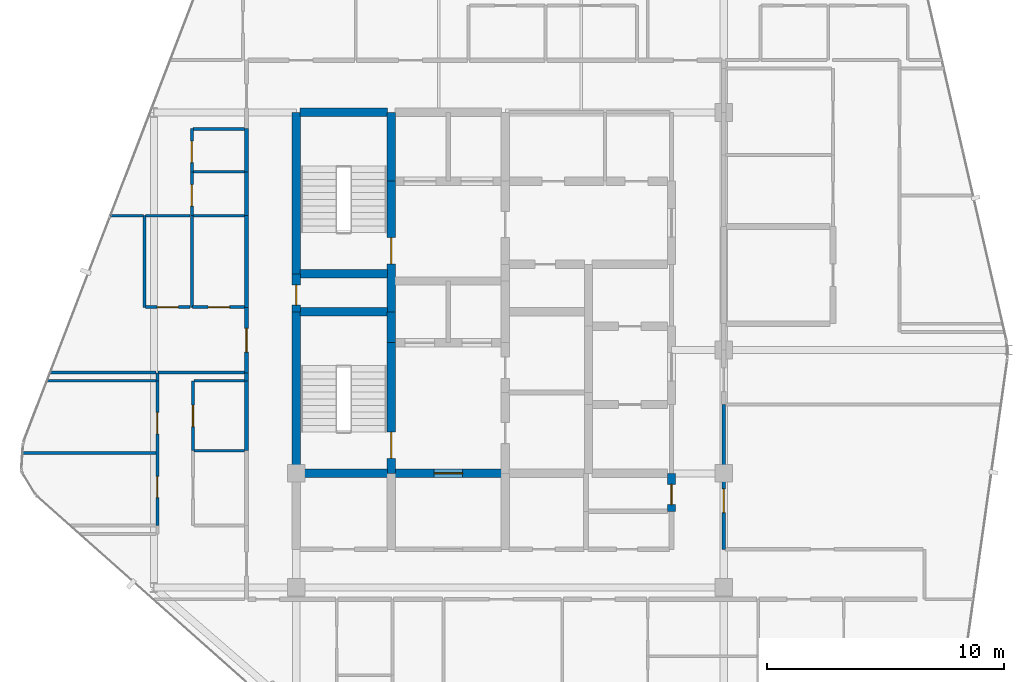
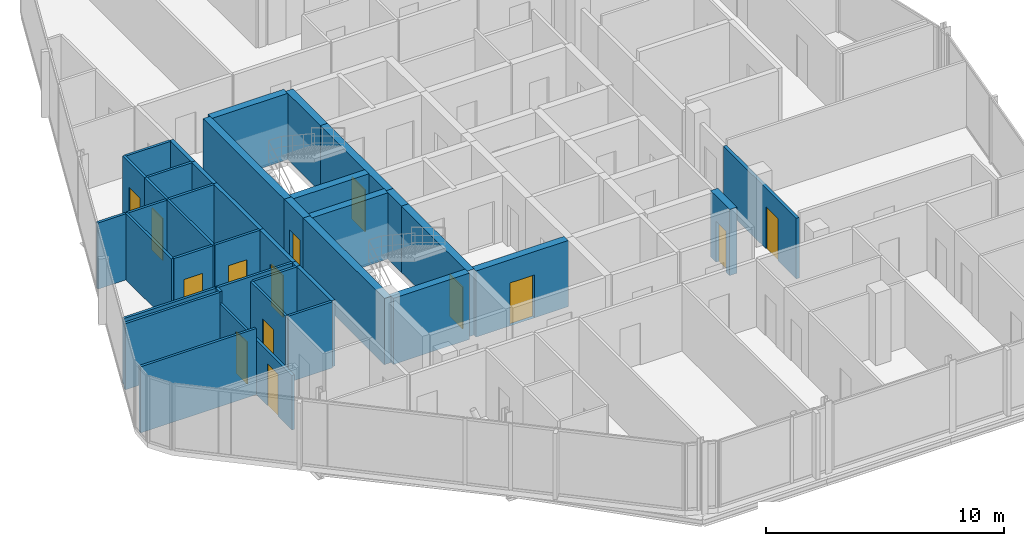
# One storey, part 23 of 28: 40 walls, 14 doors, 14 openings.
"""IFC4 building model written with IfcOpenShell, lengths in metres."""

from ifc_helpers import new_model, si_unit, direction, frame, frame_2d, origin, place, context, subcontext, project, spatial, rectangle, extrude, material, layer, layer_set, type_object, element, fill, save


model = new_model("IFC4")

# Units and contexts
model_context = context("Model", 3, precision=1e-05, world=origin(), true_north=direction((0.0, 1.0)))
body_context = subcontext(model_context, "Body", "Model", "MODEL_VIEW")
ifc_project = project(units=[si_unit("LENGTHUNIT", "METRE"), si_unit("AREAUNIT", "SQUARE_METRE"), si_unit("VOLUMEUNIT", "CUBIC_METRE"), si_unit("PLANEANGLEUNIT", "RADIAN"), si_unit("MASSUNIT", "GRAM", prefix="KILO")], contexts=[model_context])

# Site, building, storey
site_placement = place(None, origin())
site = spatial("IfcSite", under=ifc_project, at=site_placement, CompositionType="ELEMENT")
building_placement = place(site_placement, origin())
building = spatial("IfcBuilding", under=site, at=building_placement, Name="Keshet Zoharim Tower", CompositionType="ELEMENT")
storey_placement = place(building_placement, frame((0.0, 0.0, 265.800048828125)))
storey = spatial("IfcBuildingStorey", under=building, at=storey_placement, Name="L66", CompositionType="ELEMENT", Elevation=265.800048828125)

# Wall, opening, door
ifc_material_1 = material(Name="Gypsum Plasterboard", Category="gypsum")
ifc_layer_1 = layer(ifc_material_1, 0.14990234375)
ifc_layer_set_1 = layer_set([ifc_layer_1], Name="Gypsum Plasterboard")
wall_type_1 = type_object("IfcWallType", Name="WL-CLIN-150", PredefinedType="STANDARD", material=ifc_layer_set_1)
wall_1_placement = place(storey_placement, frame((33.0, 19.5, 0.0), z_axis=(0.0, 0.0, 1.0), x_axis=(0.0, 1.0, 0.0)))
wall_1 = element("IfcWall", 1, at=wall_1_placement, inside=storey, type_object=wall_type_1, Name="L66 Interior Wall 072", PredefinedType="STANDARD", context=body_context, shape_type="SweptSolid", body=[
    extrude(rectangle(XDim=6.10009765625, YDim=0.14990234375, at=frame_2d((3.050048828125, 0.0))), origin(), (0.0, 0.0, 1.0), 3.099853515625),
])
opening_1_placement = place(wall_1_placement, frame((1.544921875, 0.0, 0.0)))
opening_1 = element("IfcOpeningElement", 2, at=opening_1_placement, cuts=wall_1, Name="Opening D-F310", PredefinedType="OPENING", context=body_context, shape_type="SweptSolid", body=[
    extrude(rectangle(XDim=1.0, YDim=2.14990234375, at=frame_2d((0.5, 1.074951171875))), frame((0.0, 0.0849609375, 0.0), z_axis=(0.0, -1.0, 0.0), x_axis=(1.0, 0.0, 0.0)), (0.0, 0.0, 1.0), 0.169921875),
])
ifc_material_2 = material(Name="Hardwood Timber", Category="wood")
door_type_1 = type_object("IfcDoorType", Name="DR-FD30-100", OperationType="NOTDEFINED", PredefinedType="DOOR", material=ifc_material_2)
door_1_placement = place(opening_1_placement, origin())
door_1 = element("IfcDoor", 3, at=door_1_placement, inside=storey, type_object=door_type_1, Name="L66 South West Residents Services Suite Door 2", OperationType="SINGLE_SWING_RIGHT", OverallHeight=2.14990234375, OverallWidth=1.0, PredefinedType="DOOR", context=body_context, shape_type="SweptSolid", body=[
    extrude(rectangle(XDim=1.0, YDim=2.14990234375, at=frame_2d((0.5, 1.074951171875))), frame((0.0, 0.02490234375, 0.0), z_axis=(0.0, -1.0, 0.0), x_axis=(1.0, 0.0, 0.0)), (0.0, 0.0, 1.0), 0.050048828125),
])
fill(opening_1, door_1)

# Wall
ifc_material_3 = material(Name="Concrete C60/75", Category="concrete")
ifc_layer_2 = layer(ifc_material_3, 0.35009765625)
ifc_layer_set_2 = layer_set([ifc_layer_2], Name="Concrete C60/75")
wall_type_2 = type_object("IfcWallType", Name="WL-CORE-350", PredefinedType="SHEAR", material=ifc_layer_set_2)
wall_2_placement = place(storey_placement, frame((15.0, 22.699951171875, 0.0), z_axis=(0.0, 0.0, 1.0), x_axis=(0.0, 1.0, 0.0)))
element("IfcWall", 4, at=wall_2_placement, inside=storey, type_object=wall_type_2, Name="L66 Core Shear Wall 022", PredefinedType="SHEAR", context=body_context, shape_type="SweptSolid", body=[
    extrude(rectangle(XDim=6.800048828125, YDim=0.35009765625, at=frame_2d((3.39990234375, 0.0))), origin(), (0.0, 0.0, 1.0), 3.389892578125),
])

# Wall, opening, door
wall_3_placement = place(storey_placement, frame((15.0, 29.5, 0.0), z_axis=(0.0, 0.0, 1.0), x_axis=(0.0, 1.0, 0.0)))
wall_3 = element("IfcWall", 5, at=wall_3_placement, inside=storey, type_object=wall_type_2, Name="L66 Core Shear Wall 023", PredefinedType="SHEAR", context=body_context, shape_type="SweptSolid", body=[
    extrude(rectangle(XDim=1.60009765625, YDim=0.35009765625, at=frame_2d((0.800048828125, 0.0))), origin(), (0.0, 0.0, 1.0), 3.389892578125),
])
opening_2_placement = place(wall_3_placement, frame((0.287109375, 0.0, 0.0)))
opening_2 = element("IfcOpeningElement", 6, at=opening_2_placement, cuts=wall_3, Name="Opening D-RS85", PredefinedType="OPENING", context=body_context, shape_type="SweptSolid", body=[
    extrude(rectangle(XDim=0.85009765625, YDim=2.10009765625, at=frame_2d((0.425048828125, 1.050048828125))), frame((0.0, 0.18505859375, 0.0), z_axis=(0.0, -1.0, 0.0), x_axis=(1.0, 0.0, 0.0)), (0.0, 0.0, 1.0), 0.3701171875),
])
door_type_2 = type_object("IfcDoorType", Name="DR-RIS-085", OperationType="NOTDEFINED", PredefinedType="DOOR", material=ifc_material_2)
door_2_placement = place(opening_2_placement, origin())
door_2 = element("IfcDoor", 7, at=door_2_placement, inside=storey, type_object=door_type_2, Name="L66 Electrical Riser Access Cupboard Door", OperationType="SINGLE_SWING_RIGHT", OverallHeight=2.10009765625, OverallWidth=0.85009765625, PredefinedType="DOOR", context=body_context, shape_type="SweptSolid", body=[
    extrude(rectangle(XDim=0.85009765625, YDim=2.10009765625, at=frame_2d((0.425048828125, 1.050048828125))), frame((0.0, 0.02490234375, 0.0), z_axis=(0.0, -1.0, 0.0), x_axis=(1.0, 0.0, 0.0)), (0.0, 0.0, 1.0), 0.050048828125),
])
fill(opening_2, door_2)

# Wall
wall_4_placement = place(storey_placement, frame((15.0, 31.10009765625, 0.0), z_axis=(0.0, 0.0, 1.0), x_axis=(0.0, 1.0, 0.0)))
element("IfcWall", 8, at=wall_4_placement, inside=storey, type_object=wall_type_2, Name="L66 Core Shear Wall 024", PredefinedType="SHEAR", context=body_context, shape_type="SweptSolid", body=[
    extrude(rectangle(XDim=6.7998046875, YDim=0.35009765625, at=frame_2d((3.39990234375, 0.0))), origin(), (0.0, 0.0, 1.0), 3.389892578125),
])

# Wall, opening, door
wall_5_placement = place(storey_placement, frame((19.0, 22.699951171875, 0.0), z_axis=(0.0, 0.0, 1.0), x_axis=(0.0, 1.0, 0.0)))
wall_5 = element("IfcWall", 9, at=wall_5_placement, inside=storey, type_object=wall_type_2, Name="L66 Core Shear Wall 029", PredefinedType="SHEAR", context=body_context, shape_type="SweptSolid", body=[
    extrude(rectangle(XDim=5.5, YDim=0.35009765625, at=frame_2d((2.75, 0.0))), origin(), (0.0, 0.0, 1.0), 3.389892578125),
])
opening_3_placement = place(wall_5_placement, frame((0.631103515625, 0.0, 0.0)))
opening_3 = element("IfcOpeningElement", 10, at=opening_3_placement, cuts=wall_5, Name="Opening D-F611", PredefinedType="OPENING", context=body_context, shape_type="SweptSolid", body=[
    extrude(rectangle(XDim=1.10009765625, YDim=2.14990234375, at=frame_2d((0.550048828125, 1.074951171875))), frame((0.0, 0.18505859375, 0.0), z_axis=(0.0, -1.0, 0.0), x_axis=(1.0, 0.0, 0.0)), (0.0, 0.0, 1.0), 0.3701171875),
])
door_type_3 = type_object("IfcDoorType", Name="DR-FD60-110", OperationType="NOTDEFINED", PredefinedType="DOOR", material=ifc_material_2)
door_3_placement = place(opening_3_placement, origin())
door_3 = element("IfcDoor", 11, at=door_3_placement, inside=storey, type_object=door_type_3, Name="L66 Exit Stair ST-01 Fire Door", OperationType="SINGLE_SWING_RIGHT", OverallHeight=2.14990234375, OverallWidth=1.10009765625, PredefinedType="DOOR", context=body_context, shape_type="SweptSolid", body=[
    extrude(rectangle(XDim=1.10009765625, YDim=2.14990234375, at=frame_2d((0.550048828125, 1.074951171875))), frame((0.0, 0.02490234375, 0.0), z_axis=(0.0, -1.0, 0.0), x_axis=(1.0, 0.0, 0.0)), (0.0, 0.0, 1.0), 0.050048828125),
])
fill(opening_3, door_3)

# Wall
wall_6_placement = place(storey_placement, frame((19.0, 28.199951171875, 0.0), z_axis=(0.0, 0.0, 1.0), x_axis=(0.0, 1.0, 0.0)))
element("IfcWall", 12, at=wall_6_placement, inside=storey, type_object=wall_type_2, Name="L66 Core Shear Wall 030", PredefinedType="SHEAR", context=body_context, shape_type="SweptSolid", body=[
    extrude(rectangle(XDim=1.300048828125, YDim=0.35009765625, at=frame_2d((0.64990234375, 0.0))), origin(), (0.0, 0.0, 1.0), 3.389892578125),
])

# Wall, opening, door
wall_7_placement = place(storey_placement, frame((19.0, 29.5, 0.0), z_axis=(0.0, 0.0, 1.0), x_axis=(0.0, 1.0, 0.0)))
wall_7 = element("IfcWall", 13, at=wall_7_placement, inside=storey, type_object=wall_type_2, Name="L66 Core Shear Wall 031", PredefinedType="SHEAR", context=body_context, shape_type="SweptSolid", body=[
    extrude(rectangle(XDim=5.5, YDim=0.35009765625, at=frame_2d((2.75, 0.0))), origin(), (0.0, 0.0, 1.0), 3.389892578125),
])
opening_4_placement = place(wall_7_placement, frame((2.02490234375, 0.0, 0.0)))
opening_4 = element("IfcOpeningElement", 14, at=opening_4_placement, cuts=wall_7, Name="Opening D-F611", PredefinedType="OPENING", context=body_context, shape_type="SweptSolid", body=[
    extrude(rectangle(XDim=1.10009765625, YDim=2.14990234375, at=frame_2d((0.550048828125, 1.074951171875))), frame((0.0, 0.18505859375, 0.0), z_axis=(0.0, -1.0, 0.0), x_axis=(1.0, 0.0, 0.0)), (0.0, 0.0, 1.0), 0.3701171875),
])
door_4_placement = place(opening_4_placement, origin())
door_4 = element("IfcDoor", 15, at=door_4_placement, inside=storey, type_object=door_type_3, Name="L66 Exit Stair ST-02 Fire Door", OperationType="SINGLE_SWING_LEFT", OverallHeight=2.14990234375, OverallWidth=1.10009765625, PredefinedType="DOOR", context=body_context, shape_type="SweptSolid", body=[
    extrude(rectangle(XDim=1.10009765625, YDim=2.14990234375, at=frame_2d((0.550048828125, 1.074951171875))), frame((0.0, 0.02490234375, 0.0), z_axis=(0.0, -1.0, 0.0), x_axis=(1.0, 0.0, 0.0)), (0.0, 0.0, 1.0), 0.050048828125),
])
fill(opening_4, door_4)

# Wall
wall_8_placement = place(storey_placement, frame((19.0, 35.0, 0.0), z_axis=(0.0, 0.0, 1.0), x_axis=(0.0, 1.0, 0.0)))
element("IfcWall", 16, at=wall_8_placement, inside=storey, type_object=wall_type_2, Name="L66 Core Shear Wall 032", PredefinedType="SHEAR", context=body_context, shape_type="SweptSolid", body=[
    extrude(rectangle(XDim=2.89990234375, YDim=0.35009765625, at=frame_2d((1.449951171875, 0.0))), origin(), (0.0, 0.0, 1.0), 3.389892578125),
])

# Wall, opening, door
wall_9_placement = place(storey_placement, frame((30.800048828125, 21.10009765625, 0.0), z_axis=(0.0, 0.0, 1.0), x_axis=(0.0, 1.0, 0.0)))
wall_9 = element("IfcWall", 17, at=wall_9_placement, inside=storey, type_object=wall_type_2, Name="L66 Core Shear Wall 066", PredefinedType="SHEAR", context=body_context, shape_type="SweptSolid", body=[
    extrude(rectangle(XDim=1.599853515625, YDim=0.35009765625, at=frame_2d((0.7998046875, 0.0))), origin(), (0.0, 0.0, 1.0), 3.389892578125),
])
opening_5_placement = place(wall_9_placement, frame((0.287109375, 0.0, 0.0)))
opening_5 = element("IfcOpeningElement", 18, at=opening_5_placement, cuts=wall_9, Name="Opening D-RS85", PredefinedType="OPENING", context=body_context, shape_type="SweptSolid", body=[
    extrude(rectangle(XDim=0.85009765625, YDim=2.10009765625, at=frame_2d((0.425048828125, 1.050048828125))), frame((0.0, 0.18505859375, 0.0), z_axis=(0.0, -1.0, 0.0), x_axis=(1.0, 0.0, 0.0)), (0.0, 0.0, 1.0), 0.3701171875),
])
door_5_placement = place(opening_5_placement, origin())
door_5 = element("IfcDoor", 19, at=door_5_placement, inside=storey, type_object=door_type_2, Name="L66 Linen Store Door", OperationType="SINGLE_SWING_LEFT", OverallHeight=2.10009765625, OverallWidth=0.85009765625, PredefinedType="DOOR", context=body_context, shape_type="SweptSolid", body=[
    extrude(rectangle(XDim=0.85009765625, YDim=2.10009765625, at=frame_2d((0.425048828125, 1.050048828125))), frame((0.0, 0.02490234375, 0.0), z_axis=(0.0, -1.0, 0.0), x_axis=(1.0, 0.0, 0.0)), (0.0, 0.0, 1.0), 0.050048828125),
])
fill(opening_5, door_5)

# Wall
wall_10_placement = place(storey_placement, frame((15.159912109375, 22.699951171875, 0.0), z_axis=(0.0, 0.0, 1.0), x_axis=(1.0, 0.0, 0.0)))
element("IfcWall", 20, at=wall_10_placement, inside=storey, type_object=wall_type_2, Name="L66 Core Shear Wall 122", PredefinedType="SHEAR", context=body_context, shape_type="SweptSolid", body=[
    extrude(rectangle(XDim=3.68017578125, YDim=0.35009765625, at=frame_2d((1.840087890625, 0.0))), origin(), (0.0, 0.0, 1.0), 3.389892578125),
])

# Wall, opening, door
wall_11_placement = place(storey_placement, frame((19.159912109375, 22.699951171875, 0.0), z_axis=(0.0, 0.0, 1.0), x_axis=(1.0, 0.0, 0.0)))
wall_11 = element("IfcWall", 21, at=wall_11_placement, inside=storey, type_object=wall_type_2, Name="L66 Core Shear Wall 123", PredefinedType="SHEAR", context=body_context, shape_type="SweptSolid", body=[
    extrude(rectangle(XDim=4.47998046875, YDim=0.35009765625, at=frame_2d((2.239990234375, 0.0))), origin(), (0.0, 0.0, 1.0), 3.389892578125),
])
opening_6_placement = place(wall_11_placement, frame((1.639892578125, 0.0, 0.0)))
opening_6 = element("IfcOpeningElement", 22, at=opening_6_placement, cuts=wall_11, Name="Opening D-F612", PredefinedType="OPENING", context=body_context, shape_type="SweptSolid", body=[
    extrude(rectangle(XDim=1.199951171875, YDim=2.199951171875, at=frame_2d((0.60009765625, 1.10009765625))), frame((0.0, 0.18505859375, 0.0), z_axis=(0.0, -1.0, 0.0), x_axis=(1.0, 0.0, 0.0)), (0.0, 0.0, 1.0), 0.3701171875),
])
door_type_4 = type_object("IfcDoorType", Name="DR-FD60-120", OperationType="NOTDEFINED", PredefinedType="DOOR", material=ifc_material_2)
door_6_placement = place(opening_6_placement, origin())
door_6 = element("IfcDoor", 23, at=door_6_placement, inside=storey, type_object=door_type_4, Name="L66 South Core Lobby Fire Door", OperationType="SINGLE_SWING_LEFT", OverallHeight=2.199951171875, OverallWidth=1.199951171875, PredefinedType="DOOR", context=body_context, shape_type="SweptSolid", body=[
    extrude(rectangle(XDim=1.199951171875, YDim=2.199951171875, at=frame_2d((0.60009765625, 1.10009765625))), frame((0.0, 0.02490234375, 0.0), z_axis=(0.0, -1.0, 0.0), x_axis=(1.0, 0.0, 0.0)), (0.0, 0.0, 1.0), 0.050048828125),
])
fill(opening_6, door_6)

# Walls
for number, where, z_axis, x_axis, name in (
    (24, (15.159912109375, 29.5, 0.0), (0.0, 0.0, 1.0), (1.0, 0.0, 0.0), "L66 Core Shear Wall 140"),
    (25, (15.159912109375, 31.10009765625, 0.0), (0.0, 0.0, 1.0), (1.0, 0.0, 0.0), "L66 Core Shear Wall 145"),
    (26, (15.159912109375, 37.89990234375, 0.0), (0.0, 0.0, 1.0), (1.0, 0.0, 0.0), "L66 Core Shear Wall 159"),
):
    element("IfcWall", number, at=place(storey_placement, frame(where, z_axis=z_axis, x_axis=x_axis)), inside=storey, type_object=wall_type_2, Name=name, PredefinedType="SHEAR", context=body_context, shape_type="SweptSolid", body=[
        extrude(rectangle(XDim=3.68017578125, YDim=0.35009765625, at=frame_2d((1.840087890625, 0.0))), origin(), (0.0, 0.0, 1.0), 3.389892578125),
    ])
ifc_layer_3 = layer(ifc_material_1, 0.179931640625)
ifc_layer_set_3 = layer_set([ifc_layer_3], Name="Gypsum Plasterboard")
wall_type_3 = type_object("IfcWallType", Name="WL-CORR-180", PredefinedType="STANDARD", material=ifc_layer_set_3)
wall_12_placement = place(storey_placement, frame((12.89990234375, 23.662109375, 0.0), z_axis=(0.0, 0.0, 1.0), x_axis=(0.0, 1.0, 0.0)))
element("IfcWall", 27, at=wall_12_placement, inside=storey, type_object=wall_type_3, Name="L66 Interior Wall 014", PredefinedType="STANDARD", context=body_context, shape_type="SweptSolid", body=[
    extrude(rectangle(XDim=2.91796875, YDim=0.179931640625, at=frame_2d((1.458984375, 0.0))), origin(), (0.0, 0.0, 1.0), 3.389892578125),
])
wall_13_placement = place(storey_placement, frame((12.89990234375, 26.580078125, 0.0), z_axis=(0.0, 0.0, 1.0), x_axis=(0.0, 1.0, 0.0)))
element("IfcWall", 28, at=wall_13_placement, inside=storey, type_object=wall_type_3, Name="L66 Interior Wall 015", PredefinedType="STANDARD", context=body_context, shape_type="SweptSolid", body=[
    extrude(rectangle(XDim=0.349853515625, YDim=0.179931640625, at=frame_2d((0.1748046875, 0.0))), origin(), (0.0, 0.0, 1.0), 3.389892578125),
])

# Wall, opening, door
wall_14_placement = place(storey_placement, frame((12.89990234375, 26.929931640625, 0.0), z_axis=(0.0, 0.0, 1.0), x_axis=(0.0, 1.0, 0.0)))
wall_14 = element("IfcWall", 29, at=wall_14_placement, inside=storey, type_object=wall_type_3, Name="L66 Interior Wall 016", PredefinedType="STANDARD", context=body_context, shape_type="SweptSolid", body=[
    extrude(rectangle(XDim=2.75, YDim=0.179931640625, at=frame_2d((1.375, 0.0))), origin(), (0.0, 0.0, 1.0), 3.389892578125),
])
opening_7_placement = place(wall_14_placement, frame((0.875, 0.0, 0.0)))
opening_7 = element("IfcOpeningElement", 30, at=opening_7_placement, cuts=wall_14, Name="Opening D-F310", PredefinedType="OPENING", context=body_context, shape_type="SweptSolid", body=[
    extrude(rectangle(XDim=1.0, YDim=2.14990234375, at=frame_2d((0.5, 1.074951171875))), frame((0.0, 0.10009765625, 0.0), z_axis=(0.0, -1.0, 0.0), x_axis=(1.0, 0.0, 0.0)), (0.0, 0.0, 1.0), 0.199951171875),
])
door_7_placement = place(opening_7_placement, origin())
door_7 = element("IfcDoor", 31, at=door_7_placement, inside=storey, type_object=door_type_1, Name="Apartment 6608 Entrance Door", OperationType="SINGLE_SWING_RIGHT", OverallHeight=2.14990234375, OverallWidth=1.0, PredefinedType="DOOR", context=body_context, shape_type="SweptSolid", body=[
    extrude(rectangle(XDim=1.0, YDim=2.14990234375, at=frame_2d((0.5, 1.074951171875))), frame((0.0, 0.02490234375, 0.0), z_axis=(0.0, -1.0, 0.0), x_axis=(1.0, 0.0, 0.0)), (0.0, 0.0, 1.0), 0.050048828125),
])
fill(opening_7, door_7)

# Walls
wall_15_placement = place(storey_placement, frame((12.89990234375, 29.679931640625, 0.0), z_axis=(0.0, 0.0, 1.0), x_axis=(0.0, 1.0, 0.0)))
element("IfcWall", 32, at=wall_15_placement, inside=storey, type_object=wall_type_3, Name="L66 Interior Wall 017", PredefinedType="STANDARD", context=body_context, shape_type="SweptSolid", body=[
    extrude(rectangle(XDim=3.880126953125, YDim=0.179931640625, at=frame_2d((1.93994140625, 0.0))), origin(), (0.0, 0.0, 1.0), 3.389892578125),
])
wall_16_placement = place(storey_placement, frame((12.89990234375, 33.56005859375, 0.0), z_axis=(0.0, 0.0, 1.0), x_axis=(0.0, 1.0, 0.0)))
element("IfcWall", 33, at=wall_16_placement, inside=storey, type_object=wall_type_3, Name="L66 Interior Wall 018", PredefinedType="STANDARD", context=body_context, shape_type="SweptSolid", body=[
    extrude(rectangle(XDim=1.8310546875, YDim=0.179931640625, at=frame_2d((0.91552734375, 0.0))), origin(), (0.0, 0.0, 1.0), 3.389892578125),
])
wall_17_placement = place(storey_placement, frame((12.89990234375, 35.39111328125, 0.0), z_axis=(0.0, 0.0, 1.0), x_axis=(0.0, 1.0, 0.0)))
element("IfcWall", 34, at=wall_17_placement, inside=storey, type_object=wall_type_3, Name="L66 Interior Wall 019", PredefinedType="STANDARD", context=body_context, shape_type="SweptSolid", body=[
    extrude(rectangle(XDim=1.830810546875, YDim=0.179931640625, at=frame_2d((0.91552734375, 0.0))), origin(), (0.0, 0.0, 1.0), 3.389892578125),
])
ifc_layer_4 = layer(ifc_material_1, 0.1201171875)
ifc_layer_set_4 = layer_set([ifc_layer_4], Name="Gypsum Plasterboard")
wall_type_4 = type_object("IfcWallType", Name="WL-PART-120", PredefinedType="PARTITIONING", material=ifc_layer_set_4)
wall_18_placement = place(storey_placement, frame((8.60009765625, 29.679931640625, 0.0), z_axis=(0.0, 0.0, 1.0), x_axis=(0.0, 1.0, 0.0)))
element("IfcWall", 35, at=wall_18_placement, inside=storey, type_object=wall_type_4, Name="L66 Interior Wall 001", PredefinedType="PARTITIONING", context=body_context, shape_type="SweptSolid", body=[
    extrude(rectangle(XDim=3.880126953125, YDim=0.1201171875, at=frame_2d((1.93994140625, 0.0))), origin(), (0.0, 0.0, 1.0), 3.389892578125),
])

# Wall, openings, doors
wall_19_placement = place(storey_placement, frame((9.14990234375, 20.5, 0.0), z_axis=(0.0, 0.0, 1.0), x_axis=(0.0, 1.0, 0.0)))
wall_19 = element("IfcWall", 36, at=wall_19_placement, inside=storey, type_object=wall_type_4, Name="L66 Interior Wall 003", PredefinedType="PARTITIONING", context=body_context, shape_type="SweptSolid", body=[
    extrude(rectangle(XDim=6.080078125, YDim=0.1201171875, at=frame_2d((3.0400390625, 0.0))), origin(), (0.0, 0.0, 1.0), 2.7900390625),
])
opening_8_placement = place(wall_19_placement, frame((1.173095703125, 0.0, 0.0)))
opening_8 = element("IfcOpeningElement", 37, at=opening_8_placement, cuts=wall_19, Name="Opening D-IN90", PredefinedType="OPENING", context=body_context, shape_type="SweptSolid", body=[
    extrude(rectangle(XDim=0.89990234375, YDim=2.14990234375, at=frame_2d((0.449951171875, 1.074951171875))), frame((0.0, 0.070068359375, 0.0), z_axis=(0.0, -1.0, 0.0), x_axis=(1.0, 0.0, 0.0)), (0.0, 0.0, 1.0), 0.14013671875),
])
opening_9_placement = place(wall_19_placement, frame((3.863037109375, 0.0, 0.0)))
opening_9 = element("IfcOpeningElement", 38, at=opening_9_placement, cuts=wall_19, Name="Opening D-IN90", PredefinedType="OPENING", context=body_context, shape_type="SweptSolid", body=[
    extrude(rectangle(XDim=0.89990234375, YDim=2.14990234375, at=frame_2d((0.449951171875, 1.074951171875))), frame((0.0, 0.070068359375, 0.0), z_axis=(0.0, -1.0, 0.0), x_axis=(1.0, 0.0, 0.0)), (0.0, 0.0, 1.0), 0.14013671875),
])
door_type_5 = type_object("IfcDoorType", Name="DR-INT-090", OperationType="NOTDEFINED", PredefinedType="DOOR", material=ifc_material_2)
door_8_placement = place(opening_8_placement, origin())
door_8 = element("IfcDoor", 39, at=door_8_placement, inside=storey, type_object=door_type_5, Name="Apartment 6607 Bedroom 1 Door", OperationType="SINGLE_SWING_LEFT", OverallHeight=2.14990234375, OverallWidth=0.89990234375, PredefinedType="DOOR", context=body_context, shape_type="SweptSolid", body=[
    extrude(rectangle(XDim=0.89990234375, YDim=2.14990234375, at=frame_2d((0.449951171875, 1.074951171875))), frame((0.0, 0.02490234375, 0.0), z_axis=(0.0, -1.0, 0.0), x_axis=(1.0, 0.0, 0.0)), (0.0, 0.0, 1.0), 0.050048828125),
])
fill(opening_8, door_8)
door_9_placement = place(opening_9_placement, origin())
door_9 = element("IfcDoor", 40, at=door_9_placement, inside=storey, type_object=door_type_5, Name="Apartment 6607 Bedroom 2 Door", OperationType="SINGLE_SWING_RIGHT", OverallHeight=2.14990234375, OverallWidth=0.89990234375, PredefinedType="DOOR", context=body_context, shape_type="SweptSolid", body=[
    extrude(rectangle(XDim=0.89990234375, YDim=2.14990234375, at=frame_2d((0.449951171875, 1.074951171875))), frame((0.0, 0.02490234375, 0.0), z_axis=(0.0, -1.0, 0.0), x_axis=(1.0, 0.0, 0.0)), (0.0, 0.0, 1.0), 0.050048828125),
])
fill(opening_9, door_9)

# Wall
wall_20_placement = place(storey_placement, frame((9.14990234375, 26.580078125, 0.0), z_axis=(0.0, 0.0, 1.0), x_axis=(0.0, 1.0, 0.0)))
element("IfcWall", 41, at=wall_20_placement, inside=storey, type_object=wall_type_4, Name="L66 Interior Wall 004", PredefinedType="PARTITIONING", context=body_context, shape_type="SweptSolid", body=[
    extrude(rectangle(XDim=0.349853515625, YDim=0.1201171875, at=frame_2d((0.1748046875, 0.0))), origin(), (0.0, 0.0, 1.0), 3.389892578125),
])

# Wall, opening, door
wall_21_placement = place(storey_placement, frame((10.60009765625, 33.56005859375, 0.0), z_axis=(0.0, 0.0, 1.0), x_axis=(0.0, 1.0, 0.0)))
wall_21 = element("IfcWall", 42, at=wall_21_placement, inside=storey, type_object=wall_type_4, Name="L66 Interior Wall 006", PredefinedType="PARTITIONING", context=body_context, shape_type="SweptSolid", body=[
    extrude(rectangle(XDim=1.8310546875, YDim=0.1201171875, at=frame_2d((0.91552734375, 0.0))), origin(), (0.0, 0.0, 1.0), 3.389892578125),
])
opening_10_placement = place(wall_21_placement, frame((0.39404296875, 0.0, 0.0)))
opening_10 = element("IfcOpeningElement", 43, at=opening_10_placement, cuts=wall_21, Name="Opening D-IN90", PredefinedType="OPENING", context=body_context, shape_type="SweptSolid", body=[
    extrude(rectangle(XDim=0.89990234375, YDim=2.14990234375, at=frame_2d((0.449951171875, 1.074951171875))), frame((0.0, 0.070068359375, 0.0), z_axis=(0.0, -1.0, 0.0), x_axis=(1.0, 0.0, 0.0)), (0.0, 0.0, 1.0), 0.14013671875),
])
door_10_placement = place(opening_10_placement, origin())
door_10 = element("IfcDoor", 44, at=door_10_placement, inside=storey, type_object=door_type_5, Name="Apartment 6609 Kitchenette Door", OperationType="SINGLE_SWING_LEFT", OverallHeight=2.14990234375, OverallWidth=0.89990234375, PredefinedType="DOOR", context=body_context, shape_type="SweptSolid", body=[
    extrude(rectangle(XDim=0.89990234375, YDim=2.14990234375, at=frame_2d((0.449951171875, 1.074951171875))), frame((0.0, 0.02490234375, 0.0), z_axis=(0.0, -1.0, 0.0), x_axis=(1.0, 0.0, 0.0)), (0.0, 0.0, 1.0), 0.050048828125),
])
fill(opening_10, door_10)

# Walls
wall_22_placement = place(storey_placement, frame((3.47802734375, 23.550048828125, 0.0), z_axis=(0.0, 0.0, 1.0), x_axis=(1.0, 0.0, 0.0)))
element("IfcWall", 45, at=wall_22_placement, inside=storey, type_object=wall_type_4, Name="L66 Interior Wall 126", PredefinedType="PARTITIONING", context=body_context, shape_type="SweptSolid", body=[
    extrude(rectangle(XDim=5.60693359375, YDim=0.1201171875, at=frame_2d((2.803466796875, 0.0))), origin(), (0.0, 0.0, 1.0), 3.389892578125),
])
wall_23_placement = place(storey_placement, frame((4.510009765625, 26.60009765625, 0.0), z_axis=(0.0, 0.0, 1.0), x_axis=(1.0, 0.0, 0.0)))
element("IfcWall", 46, at=wall_23_placement, inside=storey, type_object=wall_type_4, Name="L66 Interior Wall 131", PredefinedType="PARTITIONING", context=body_context, shape_type="SweptSolid", body=[
    extrude(rectangle(XDim=4.574951171875, YDim=0.1201171875, at=frame_2d((2.28759765625, 0.0))), origin(), (0.0, 0.0, 1.0), 3.389892578125),
])
wall_24_placement = place(storey_placement, frame((4.64404296875, 26.949951171875, 0.0), z_axis=(0.0, 0.0, 1.0), x_axis=(1.0, 0.0, 0.0)))
element("IfcWall", 47, at=wall_24_placement, inside=storey, type_object=wall_type_4, Name="L66 Interior Wall 133", PredefinedType="PARTITIONING", context=body_context, shape_type="SweptSolid", body=[
    extrude(rectangle(XDim=4.44091796875, YDim=0.1201171875, at=frame_2d((2.220458984375, 0.0))), origin(), (0.0, 0.0, 1.0), 3.389892578125),
])
wall_25_placement = place(storey_placement, frame((9.175048828125, 26.949951171875, 0.0), z_axis=(0.0, 0.0, 1.0), x_axis=(1.0, 0.0, 0.0)))
element("IfcWall", 48, at=wall_25_placement, inside=storey, type_object=wall_type_4, Name="L66 Interior Wall 134", PredefinedType="PARTITIONING", context=body_context, shape_type="SweptSolid", body=[
    extrude(rectangle(XDim=3.64990234375, YDim=0.1201171875, at=frame_2d((1.824951171875, 0.0))), origin(), (0.0, 0.0, 1.0), 3.389892578125),
])

# Wall, opening, door
wall_26_placement = place(storey_placement, frame((8.64501953125, 29.699951171875, 0.0), z_axis=(0.0, 0.0, 1.0), x_axis=(1.0, 0.0, 0.0)))
wall_26 = element("IfcWall", 49, at=wall_26_placement, inside=storey, type_object=wall_type_4, Name="L66 Interior Wall 142", PredefinedType="PARTITIONING", context=body_context, shape_type="SweptSolid", body=[
    extrude(rectangle(XDim=1.887939453125, YDim=0.1201171875, at=frame_2d((0.94384765625, 0.0))), origin(), (0.0, 0.0, 1.0), 3.389892578125),
])
opening_11_placement = place(wall_26_placement, frame((0.493896484375, 0.0, 0.0)))
opening_11 = element("IfcOpeningElement", 50, at=opening_11_placement, cuts=wall_26, Name="Opening D-IN90", PredefinedType="OPENING", context=body_context, shape_type="SweptSolid", body=[
    extrude(rectangle(XDim=0.89990234375, YDim=2.14990234375, at=frame_2d((0.449951171875, 1.074951171875))), frame((0.0, 0.070068359375, 0.0), z_axis=(0.0, -1.0, 0.0), x_axis=(1.0, 0.0, 0.0)), (0.0, 0.0, 1.0), 0.14013671875),
])
door_11_placement = place(opening_11_placement, origin())
door_11 = element("IfcDoor", 51, at=door_11_placement, inside=storey, type_object=door_type_5, Name="Apartment 6608 Kitchen Door", OperationType="SINGLE_SWING_RIGHT", OverallHeight=2.14990234375, OverallWidth=0.89990234375, PredefinedType="DOOR", context=body_context, shape_type="SweptSolid", body=[
    extrude(rectangle(XDim=0.89990234375, YDim=2.14990234375, at=frame_2d((0.449951171875, 1.074951171875))), frame((0.0, 0.02490234375, 0.0), z_axis=(0.0, -1.0, 0.0), x_axis=(1.0, 0.0, 0.0)), (0.0, 0.0, 1.0), 0.050048828125),
])
fill(opening_11, door_11)

# Walls
wall_27_placement = place(storey_placement, frame((7.18310546875, 33.550048828125, 0.0), z_axis=(0.0, 0.0, 1.0), x_axis=(1.0, 0.0, 0.0)))
element("IfcWall", 52, at=wall_27_placement, inside=storey, type_object=wall_type_4, Name="L66 Interior Wall 149", PredefinedType="PARTITIONING", context=body_context, shape_type="SweptSolid", body=[
    extrude(rectangle(XDim=1.371826171875, YDim=0.1201171875, at=frame_2d((0.68603515625, 0.0))), origin(), (0.0, 0.0, 1.0), 3.389892578125),
])
wall_28_placement = place(storey_placement, frame((8.64501953125, 33.550048828125, 0.0), z_axis=(0.0, 0.0, 1.0), x_axis=(1.0, 0.0, 0.0)))
element("IfcWall", 53, at=wall_28_placement, inside=storey, type_object=wall_type_4, Name="L66 Interior Wall 150", PredefinedType="PARTITIONING", context=body_context, shape_type="SweptSolid", body=[
    extrude(rectangle(XDim=1.887939453125, YDim=0.1201171875, at=frame_2d((0.94384765625, 0.0))), origin(), (0.0, 0.0, 1.0), 3.389892578125),
])
ifc_layer_5 = layer(ifc_material_1, 0.1201171875)
ifc_layer_set_5 = layer_set([ifc_layer_5], Name="Gypsum Plasterboard")
wall_type_5 = type_object("IfcWallType", Name="WL-WET-120", PredefinedType="PARTITIONING", material=ifc_layer_set_5)
wall_29_placement = place(storey_placement, frame((10.60009765625, 29.679931640625, 0.0), z_axis=(0.0, 0.0, 1.0), x_axis=(0.0, 1.0, 0.0)))
element("IfcWall", 54, at=wall_29_placement, inside=storey, type_object=wall_type_5, Name="L66 Interior Wall 005", PredefinedType="PARTITIONING", context=body_context, shape_type="SweptSolid", body=[
    extrude(rectangle(XDim=3.880126953125, YDim=0.1201171875, at=frame_2d((1.93994140625, 0.0))), origin(), (0.0, 0.0, 1.0), 3.389892578125),
])

# Wall, opening, door
wall_30_placement = place(storey_placement, frame((10.60009765625, 35.39111328125, 0.0), z_axis=(0.0, 0.0, 1.0), x_axis=(0.0, 1.0, 0.0)))
wall_30 = element("IfcWall", 55, at=wall_30_placement, inside=storey, type_object=wall_type_5, Name="L66 Interior Wall 007", PredefinedType="PARTITIONING", context=body_context, shape_type="SweptSolid", body=[
    extrude(rectangle(XDim=1.830810546875, YDim=0.1201171875, at=frame_2d((0.91552734375, 0.0))), origin(), (0.0, 0.0, 1.0), 3.389892578125),
])
opening_12_placement = place(wall_30_placement, frame((0.39404296875, 0.0, 0.0)))
opening_12 = element("IfcOpeningElement", 56, at=opening_12_placement, cuts=wall_30, Name="Opening D-WT90", PredefinedType="OPENING", context=body_context, shape_type="SweptSolid", body=[
    extrude(rectangle(XDim=0.89990234375, YDim=2.10009765625, at=frame_2d((0.449951171875, 1.050048828125))), frame((0.0, 0.070068359375, 0.0), z_axis=(0.0, -1.0, 0.0), x_axis=(1.0, 0.0, 0.0)), (0.0, 0.0, 1.0), 0.14013671875),
])
door_type_6 = type_object("IfcDoorType", Name="DR-WET-090", OperationType="NOTDEFINED", PredefinedType="DOOR", material=ifc_material_2)
door_12_placement = place(opening_12_placement, origin())
door_12 = element("IfcDoor", 57, at=door_12_placement, inside=storey, type_object=door_type_6, Name="Apartment 6609 Bathroom Door", OperationType="SINGLE_SWING_RIGHT", OverallHeight=2.10009765625, OverallWidth=0.89990234375, PredefinedType="DOOR", context=body_context, shape_type="SweptSolid", body=[
    extrude(rectangle(XDim=0.89990234375, YDim=2.10009765625, at=frame_2d((0.449951171875, 1.050048828125))), frame((0.0, 0.02490234375, 0.0), z_axis=(0.0, -1.0, 0.0), x_axis=(1.0, 0.0, 0.0)), (0.0, 0.0, 1.0), 0.050048828125),
])
fill(opening_12, door_12)

wall_31_placement = place(storey_placement, frame((10.64990234375, 23.662109375, 0.0), z_axis=(0.0, 0.0, 1.0), x_axis=(0.0, 1.0, 0.0)))
wall_31 = element("IfcWall", 58, at=wall_31_placement, inside=storey, type_object=wall_type_5, Name="L66 Interior Wall 009", PredefinedType="PARTITIONING", context=body_context, shape_type="SweptSolid", body=[
    extrude(rectangle(XDim=2.91796875, YDim=0.1201171875, at=frame_2d((1.458984375, 0.0))), origin(), (0.0, 0.0, 1.0), 3.389892578125),
])
opening_13_placement = place(wall_31_placement, frame((1.009033203125, 0.0, 0.0)))
opening_13 = element("IfcOpeningElement", 59, at=opening_13_placement, cuts=wall_31, Name="Opening D-WT90", PredefinedType="OPENING", context=body_context, shape_type="SweptSolid", body=[
    extrude(rectangle(XDim=0.89990234375, YDim=2.10009765625, at=frame_2d((0.449951171875, 1.050048828125))), frame((0.0, 0.070068359375, 0.0), z_axis=(0.0, -1.0, 0.0), x_axis=(1.0, 0.0, 0.0)), (0.0, 0.0, 1.0), 0.14013671875),
])
door_13_placement = place(opening_13_placement, origin())
door_13 = element("IfcDoor", 60, at=door_13_placement, inside=storey, type_object=door_type_6, Name="Apartment 6607 Bathroom Door", OperationType="SINGLE_SWING_RIGHT", OverallHeight=2.10009765625, OverallWidth=0.89990234375, PredefinedType="DOOR", context=body_context, shape_type="SweptSolid", body=[
    extrude(rectangle(XDim=0.89990234375, YDim=2.10009765625, at=frame_2d((0.449951171875, 1.050048828125))), frame((0.0, 0.02490234375, 0.0), z_axis=(0.0, -1.0, 0.0), x_axis=(1.0, 0.0, 0.0)), (0.0, 0.0, 1.0), 0.050048828125),
])
fill(opening_13, door_13)

# Walls
for number, where, z_axis, x_axis, name in (
    (61, (10.695068359375, 23.64990234375, 0.0), (0.0, 0.0, 1.0), (1.0, 0.0, 0.0), "L66 Interior Wall 127"),
    (62, (10.695068359375, 26.60009765625, 0.0), (0.0, 0.0, 1.0), (1.0, 0.0, 0.0), "L66 Interior Wall 132"),
):
    element("IfcWall", number, at=place(storey_placement, frame(where, z_axis=z_axis, x_axis=x_axis)), inside=storey, type_object=wall_type_5, Name=name, PredefinedType="PARTITIONING", context=body_context, shape_type="SweptSolid", body=[
        extrude(rectangle(XDim=2.1298828125, YDim=0.1201171875, at=frame_2d((1.06494140625, 0.0))), origin(), (0.0, 0.0, 1.0), 3.389892578125),
    ])

# Wall, opening, door
wall_32_placement = place(storey_placement, frame((10.623046875, 29.699951171875, 0.0), z_axis=(0.0, 0.0, 1.0), x_axis=(1.0, 0.0, 0.0)))
wall_32 = element("IfcWall", 63, at=wall_32_placement, inside=storey, type_object=wall_type_5, Name="L66 Interior Wall 143", PredefinedType="PARTITIONING", context=body_context, shape_type="SweptSolid", body=[
    extrude(rectangle(XDim=2.201904296875, YDim=0.1201171875, at=frame_2d((1.10107421875, 0.0))), origin(), (0.0, 0.0, 1.0), 3.389892578125),
])
opening_14_placement = place(wall_32_placement, frame((0.666015625, 0.0, 0.0)))
opening_14 = element("IfcOpeningElement", 64, at=opening_14_placement, cuts=wall_32, Name="Opening D-WT90", PredefinedType="OPENING", context=body_context, shape_type="SweptSolid", body=[
    extrude(rectangle(XDim=0.89990234375, YDim=2.10009765625, at=frame_2d((0.449951171875, 1.050048828125))), frame((0.0, 0.070068359375, 0.0), z_axis=(0.0, -1.0, 0.0), x_axis=(1.0, 0.0, 0.0)), (0.0, 0.0, 1.0), 0.14013671875),
])
door_14_placement = place(opening_14_placement, origin())
door_14 = element("IfcDoor", 65, at=door_14_placement, inside=storey, type_object=door_type_6, Name="Apartment 6608 Bathroom Door", OperationType="SINGLE_SWING_LEFT", OverallHeight=2.10009765625, OverallWidth=0.89990234375, PredefinedType="DOOR", context=body_context, shape_type="SweptSolid", body=[
    extrude(rectangle(XDim=0.89990234375, YDim=2.10009765625, at=frame_2d((0.449951171875, 1.050048828125))), frame((0.0, 0.02490234375, 0.0), z_axis=(0.0, -1.0, 0.0), x_axis=(1.0, 0.0, 0.0)), (0.0, 0.0, 1.0), 0.050048828125),
])
fill(opening_14, door_14)

# Walls
for number, where, z_axis, x_axis, name in (
    (66, (10.64501953125, 33.550048828125, 0.0), (0.0, 0.0, 1.0), (1.0, 0.0, 0.0), "L66 Interior Wall 151"),
    (67, (10.64501953125, 35.39990234375, 0.0), (0.0, 0.0, 1.0), (1.0, 0.0, 0.0), "L66 Interior Wall 156"),
    (68, (10.64501953125, 37.199951171875, 0.0), (0.0, 0.0, 1.0), (1.0, 0.0, 0.0), "L66 Interior Wall 158"),
):
    element("IfcWall", number, at=place(storey_placement, frame(where, z_axis=z_axis, x_axis=x_axis)), inside=storey, type_object=wall_type_5, Name=name, PredefinedType="PARTITIONING", context=body_context, shape_type="SweptSolid", body=[
        extrude(rectangle(XDim=2.179931640625, YDim=0.1201171875, at=frame_2d((1.08984375, 0.0))), origin(), (0.0, 0.0, 1.0), 3.389892578125),
    ])

save(model, "model.ifc")
